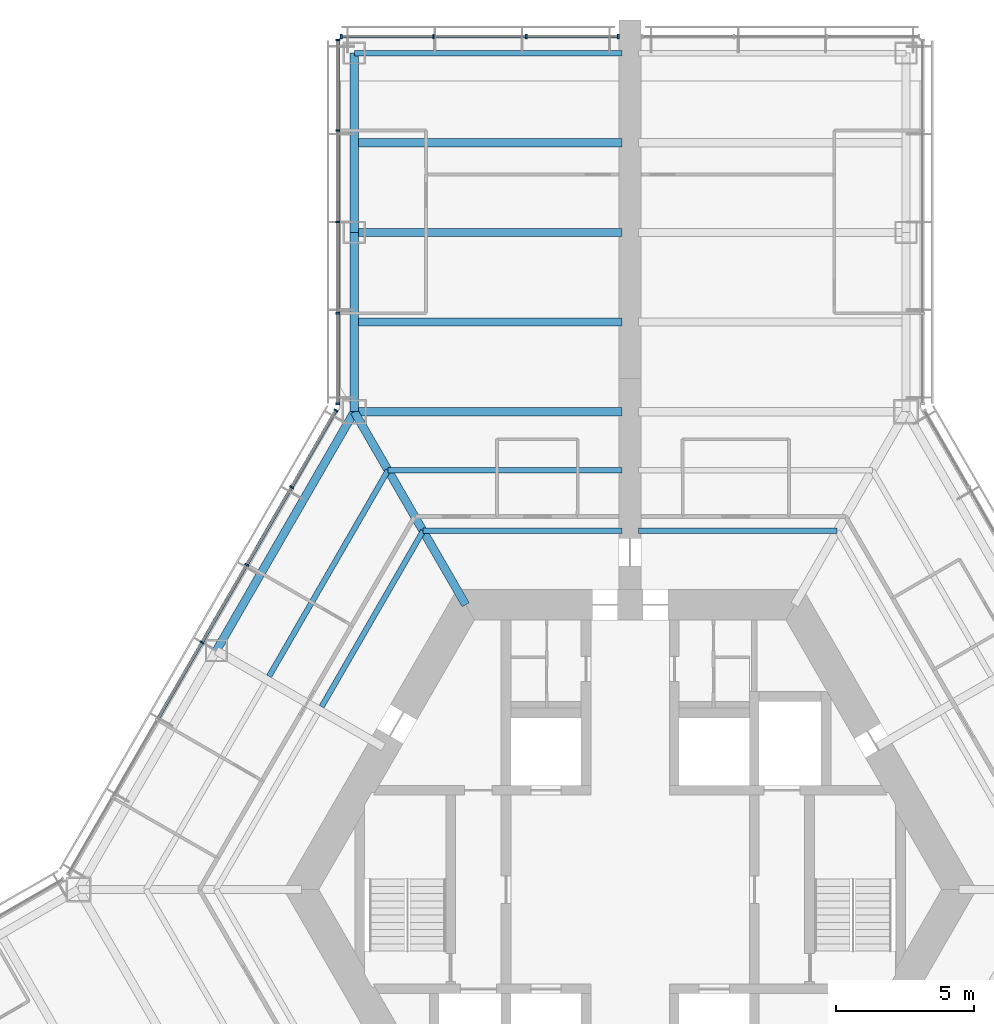
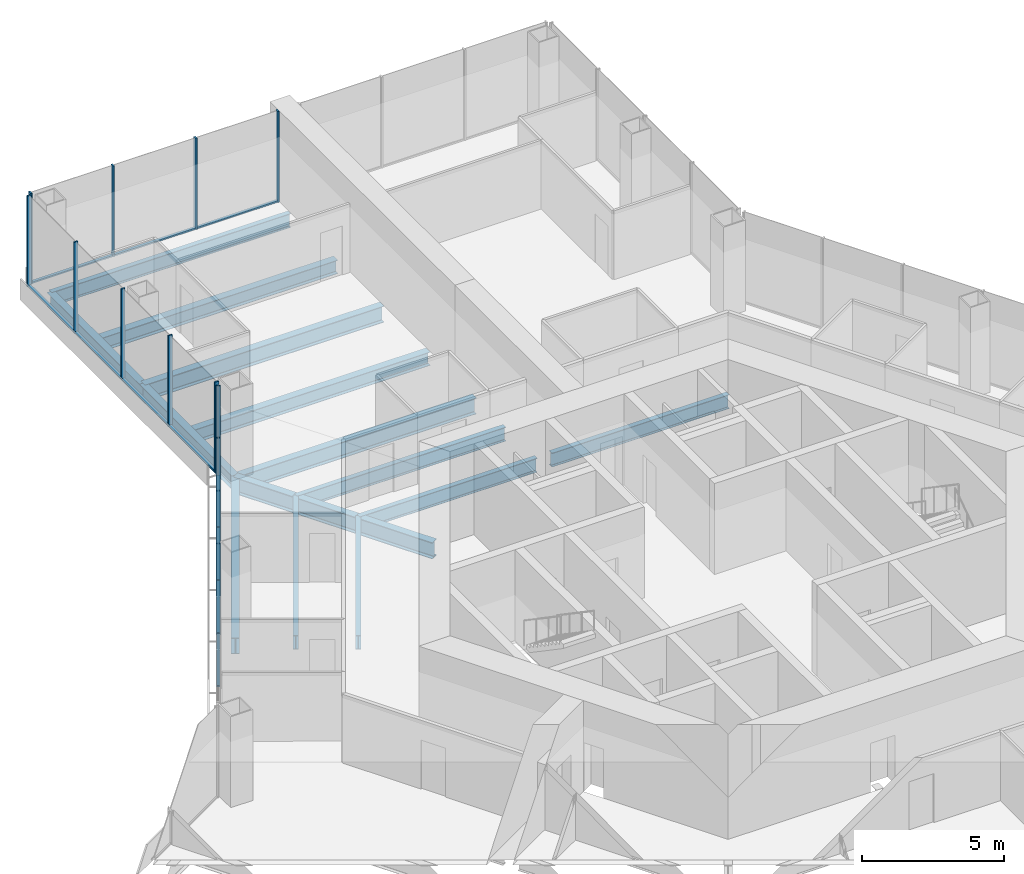
# One storey, part 7 of 18: 24 members, 14 beams, 3 elements without a shape of their own.
"""IFC4 building model written with IfcOpenShell, lengths in metres."""

from ifc_helpers import new_model, si_unit, direction, frame, origin, origin_2d, place, context, subcontext, project, spatial, rectangle, i_section, extrude, material, material_profile, profile_set, type_object, element, aggregate, save


model = new_model("IFC4")

# Units and contexts
model_context = context("Model", 3, precision=1e-05, world=origin(), true_north=direction((0.0, 1.0)))
body_context = subcontext(model_context, "Body", "Model", "MODEL_VIEW")
ifc_project = project(units=[si_unit("LENGTHUNIT", "METRE"), si_unit("AREAUNIT", "SQUARE_METRE"), si_unit("VOLUMEUNIT", "CUBIC_METRE"), si_unit("PLANEANGLEUNIT", "RADIAN"), si_unit("MASSUNIT", "GRAM", prefix="KILO")], contexts=[model_context])

# Site, building, storey
site_placement = place(None, origin())
site = spatial("IfcSite", under=ifc_project, at=site_placement, CompositionType="ELEMENT")
building_placement = place(site_placement, origin())
building = spatial("IfcBuilding", under=site, at=building_placement, Name="Kasaneha Research Tower", CompositionType="ELEMENT")
storey_placement = place(building_placement, frame((0.0, 0.0, 115.800048828125)))
storey = spatial("IfcBuildingStorey", under=building, at=storey_placement, Name="L29", CompositionType="ELEMENT", Elevation=115.800048828125)

# Beams
ifc_material_1 = material(Name="Steel SN490B", Category="steel")
ifc_material_profile_1 = material_profile(ifc_material_1, i_section(OverallWidth=0.199951171875, OverallDepth=0.60009765625, WebThickness=0.010986328125, FlangeThickness=0.01708984375, FilletRadius=0.012939453125, at=origin_2d()), Name="H-600x200x11x17")
ifc_profile_set_1 = profile_set([ifc_material_profile_1], Name="Steel SN490B")
beam_type_1 = type_object("IfcBeamType", Name="B1-3 secondary beam H-600x200x11x17", PredefinedType="JOIST", material=ifc_profile_set_1)
for number, where, z_axis, x_axis, name in (
    (1, (7.505615234375, 13.0, -0.449951171875), (-1.0, 0.0, 0.0), (0.0, -1.0, 0.0), "Secondary beam RS090L1 L29"),
    (2, (-7.505615234375, 13.0, -0.449951171875), (1.0, 0.0, 0.0), (0.0, 1.0, 0.0), "Secondary beam RS090R1 L29"),
):
    element("IfcBeam", number, at=place(storey_placement, frame(where, z_axis=z_axis, x_axis=x_axis)), inside=storey, type_object=beam_type_1, Name=name, PredefinedType="JOIST", context=body_context, shape_type="SweptSolid", body=[
        extrude(i_section(OverallWidth=0.199951171875, OverallDepth=0.60009765625, WebThickness=0.010986328125, FlangeThickness=0.01708984375, FilletRadius=0.012939453125, at=origin_2d()), origin(), (0.0, 0.0, 1.0), 7.20556640625),
    ])
beam_1_placement = place(storey_placement, frame((-8.775634765625, 15.199951171875, -0.449951171875), z_axis=(1.0, 0.0, 0.0), x_axis=(0.0, 1.0, 0.0)))
element("IfcBeam", 3, at=beam_1_placement, inside=storey, type_object=beam_type_1, Name="Secondary beam RS090R2 L29", PredefinedType="JOIST", context=body_context, shape_type="SweptSolid", body=[
    extrude(i_section(OverallWidth=0.199951171875, OverallDepth=0.60009765625, WebThickness=0.010986328125, FlangeThickness=0.01708984375, FilletRadius=0.012939453125, at=origin_2d()), origin(), (0.0, 0.0, 1.0), 8.4755859375),
])
beam_2_placement = place(storey_placement, frame((-7.505615234375, 13.0, -0.449951171875), z_axis=(-0.499994443168, -0.866028611999, 0.0), x_axis=(0.866028611999, -0.499994443168, 0.0)))
element("IfcBeam", 4, at=beam_2_placement, inside=storey, type_object=beam_type_1, Name="Secondary beam RS150L1 L29", PredefinedType="JOIST", context=body_context, shape_type="SweptSolid", body=[
    extrude(i_section(OverallWidth=0.199951171875, OverallDepth=0.60009765625, WebThickness=0.010986328125, FlangeThickness=0.01708984375, FilletRadius=0.012939453125, at=origin_2d()), origin(), (0.0, 0.0, 1.0), 7.35546875),
])
beam_3_placement = place(storey_placement, frame((-8.775634765625, 15.199951171875, -0.449951171875), z_axis=(-0.500017275495, -0.866015429543, 0.0), x_axis=(0.866015429543, -0.500017275495, 0.0)))
element("IfcBeam", 5, at=beam_3_placement, inside=storey, type_object=beam_type_1, Name="Secondary beam RS150L2 L29", PredefinedType="JOIST", context=body_context, shape_type="SweptSolid", body=[
    extrude(i_section(OverallWidth=0.199951171875, OverallDepth=0.60009765625, WebThickness=0.010986328125, FlangeThickness=0.01708984375, FilletRadius=0.012939453125, at=origin_2d()), origin(), (0.0, 0.0, 1.0), 8.625732421875),
])
ifc_material_2 = material(Name="Steel SN490B", Category="steel")
ifc_material_profile_2 = material_profile(ifc_material_2, i_section(OverallWidth=0.300048828125, OverallDepth=0.58203125, WebThickness=0.011962890625, FlangeThickness=0.01708984375, FilletRadius=0.012939453125, at=origin_2d()), Name="H-582x300x12x17")
ifc_profile_set_2 = profile_set([ifc_material_profile_2], Name="Steel SN490B")
beam_type_2 = type_object("IfcBeamType", Name="B2-3 secondary beam H-582x300x12x17", PredefinedType="JOIST", material=ifc_profile_set_2)
for number, where, z_axis, x_axis, name in (
    (6, (-10.0, 20.570556640625, -0.441162109375), (1.0, 0.0, 0.0), (0.0, 1.0, 0.0), "Secondary beam WBAN1 L29"),
    (7, (-10.0, 27.070556640625, -0.441162109375), (1.0, 0.0, 0.0), (0.0, 1.0, 0.0), "Secondary beam WBAN2 L29"),
):
    element("IfcBeam", number, at=place(storey_placement, frame(where, z_axis=z_axis, x_axis=x_axis)), inside=storey, type_object=beam_type_2, Name=name, PredefinedType="JOIST", context=body_context, shape_type="SweptSolid", body=[
        extrude(i_section(OverallWidth=0.300048828125, OverallDepth=0.58203125, WebThickness=0.011962890625, FlangeThickness=0.01708984375, FilletRadius=0.012939453125, at=origin_2d()), origin(), (0.0, 0.0, 1.0), 9.699951171875),
    ])

# Curtain wall, members
ifc_material_3 = material(Name="Glass and aluminium", Category="aluminium")
curtain_wall_type = type_object("IfcCurtainWallType", Name="Low-rise office curtain wall", PredefinedType="USERDEFINED", material=ifc_material_3)
curtain_wall_1_placement = place(storey_placement, origin())
curtain_wall_1 = element("IfcCurtainWall", 8, at=curtain_wall_1_placement, inside=storey, type_object=curtain_wall_type, Name="CW-O1 L29 run 10a", ObjectType="UNITISED CURTAIN WALL", PredefinedType="USERDEFINED")
ifc_material_4 = material(Name="Aluminium 6063-T6", Category="aluminium")
ifc_material_profile_3 = material_profile(ifc_material_4, rectangle(XDim=0.06005859375, YDim=0.159912109375, at=origin_2d()), Name="CW-O1 mullion 60x160")
ifc_profile_set_3 = profile_set([ifc_material_profile_3], Name="Aluminium 6063-T6")
member_type_1 = type_object("IfcMemberType", Name="CW-O1 mullion", PredefinedType="MULLION", material=ifc_profile_set_3)
member_1_placement = place(storey_placement, frame((-0.429931640625, 30.92041015625, 0.0), z_axis=(0.0, 0.0, 1.0), x_axis=(-1.0, 0.0, 0.0)))
member_1 = element("IfcMember", 9, at=member_1_placement, type_object=member_type_1, Name="CW-O1 mullion 1", PredefinedType="MULLION", context=body_context, shape_type="SweptSolid", body=[
    extrude(rectangle(XDim=0.06005859375, YDim=0.159912109375, at=origin_2d()), origin(), (0.0, 0.0, 1.0), 3.89990234375),
])
member_2_placement = place(storey_placement, frame((-3.7666015625, 30.92041015625, 0.0), z_axis=(0.0, 0.0, 1.0), x_axis=(-1.0, 0.0, 0.0)))
member_2 = element("IfcMember", 10, at=member_2_placement, type_object=member_type_1, Name="CW-O1 mullion 2", PredefinedType="MULLION", context=body_context, shape_type="SweptSolid", body=[
    extrude(rectangle(XDim=0.06005859375, YDim=0.159912109375, at=origin_2d()), origin(), (0.0, 0.0, 1.0), 3.89990234375),
])
member_3_placement = place(storey_placement, frame((-7.13330078125, 30.92041015625, 0.0), z_axis=(0.0, 0.0, 1.0), x_axis=(-1.0, 0.0, 0.0)))
member_3 = element("IfcMember", 11, at=member_3_placement, type_object=member_type_1, Name="CW-O1 mullion 3", PredefinedType="MULLION", context=body_context, shape_type="SweptSolid", body=[
    extrude(rectangle(XDim=0.06005859375, YDim=0.159912109375, at=origin_2d()), origin(), (0.0, 0.0, 1.0), 3.89990234375),
])
member_4_placement = place(storey_placement, frame((-10.469970703125, 30.92041015625, 0.0), z_axis=(0.0, 0.0, 1.0), x_axis=(-1.0, 0.0, 0.0)))
member_4 = element("IfcMember", 12, at=member_4_placement, type_object=member_type_1, Name="CW-O1 mullion 4", PredefinedType="MULLION", context=body_context, shape_type="SweptSolid", body=[
    extrude(rectangle(XDim=0.06005859375, YDim=0.159912109375, at=origin_2d()), origin(), (0.0, 0.0, 1.0), 3.89990234375),
])

curtain_wall_2_placement = place(storey_placement, origin())
curtain_wall_2 = element("IfcCurtainWall", 13, at=curtain_wall_2_placement, inside=storey, type_object=curtain_wall_type, Name="CW-O1 L29 run 11a", ObjectType="UNITISED CURTAIN WALL", PredefinedType="USERDEFINED")
member_5_placement = place(storey_placement, frame((-10.60009765625, 30.79052734375, 0.0), z_axis=(0.0, 0.0, 1.0), x_axis=(0.0, -1.0, 0.0)))
member_5 = element("IfcMember", 14, at=member_5_placement, type_object=member_type_1, Name="CW-O1 mullion 1", PredefinedType="MULLION", context=body_context, shape_type="SweptSolid", body=[
    extrude(rectangle(XDim=0.06005859375, YDim=0.159912109375, at=origin_2d()), origin(), (0.0, 0.0, 1.0), 3.89990234375),
])
member_6_placement = place(storey_placement, frame((-10.60009765625, 27.5107421875, 0.0), z_axis=(0.0, 0.0, 1.0), x_axis=(0.0, -1.0, 0.0)))
member_6 = element("IfcMember", 15, at=member_6_placement, type_object=member_type_1, Name="CW-O1 mullion 2", PredefinedType="MULLION", context=body_context, shape_type="SweptSolid", body=[
    extrude(rectangle(XDim=0.06005859375, YDim=0.159912109375, at=origin_2d()), origin(), (0.0, 0.0, 1.0), 3.89990234375),
])
member_7_placement = place(storey_placement, frame((-10.60009765625, 24.200927734375, 0.0), z_axis=(0.0, 0.0, 1.0), x_axis=(0.0, -1.0, 0.0)))
member_7 = element("IfcMember", 16, at=member_7_placement, type_object=member_type_1, Name="CW-O1 mullion 3", PredefinedType="MULLION", context=body_context, shape_type="SweptSolid", body=[
    extrude(rectangle(XDim=0.06005859375, YDim=0.159912109375, at=origin_2d()), origin(), (0.0, 0.0, 1.0), 3.89990234375),
])
member_8_placement = place(storey_placement, frame((-10.60009765625, 20.89111328125, 0.0), z_axis=(0.0, 0.0, 1.0), x_axis=(0.0, -1.0, 0.0)))
member_8 = element("IfcMember", 17, at=member_8_placement, type_object=member_type_1, Name="CW-O1 mullion 4", PredefinedType="MULLION", context=body_context, shape_type="SweptSolid", body=[
    extrude(rectangle(XDim=0.06005859375, YDim=0.159912109375, at=origin_2d()), origin(), (0.0, 0.0, 1.0), 3.89990234375),
])
member_9_placement = place(storey_placement, frame((-10.60009765625, 17.611328125, 0.0), z_axis=(0.0, 0.0, 1.0), x_axis=(0.0, -1.0, 0.0)))
member_9 = element("IfcMember", 18, at=member_9_placement, type_object=member_type_1, Name="CW-O1 mullion 5", PredefinedType="MULLION", context=body_context, shape_type="SweptSolid", body=[
    extrude(rectangle(XDim=0.06005859375, YDim=0.159912109375, at=origin_2d()), origin(), (0.0, 0.0, 1.0), 3.89990234375),
])

curtain_wall_3_placement = place(storey_placement, origin())
curtain_wall_3 = element("IfcCurtainWall", 19, at=curtain_wall_3_placement, inside=storey, type_object=curtain_wall_type, Name="CW-O1 L29 run 12a", ObjectType="UNITISED CURTAIN WALL", PredefinedType="USERDEFINED")
member_10_placement = place(storey_placement, frame((-10.6650390625, 17.36865234375, 0.0), z_axis=(0.0, 0.0, 1.0), x_axis=(-0.49999996188, -0.866025425793, 0.0)))
member_10 = element("IfcMember", 20, at=member_10_placement, type_object=member_type_1, Name="CW-O1 mullion 1", PredefinedType="MULLION", context=body_context, shape_type="SweptSolid", body=[
    extrude(rectangle(XDim=0.06005859375, YDim=0.159912109375, at=origin_2d()), origin(), (0.0, 0.0, 1.0), 3.89990234375),
])
member_11_placement = place(storey_placement, frame((-12.273193359375, 14.583251953125, 0.0), z_axis=(0.0, 0.0, 1.0), x_axis=(-0.49999996188, -0.866025425793, 0.0)))
member_11 = element("IfcMember", 21, at=member_11_placement, type_object=member_type_1, Name="CW-O1 mullion 2", PredefinedType="MULLION", context=body_context, shape_type="SweptSolid", body=[
    extrude(rectangle(XDim=0.06005859375, YDim=0.159912109375, at=origin_2d()), origin(), (0.0, 0.0, 1.0), 3.89990234375),
])
member_12_placement = place(storey_placement, frame((-13.896484375, 11.771728515625, 0.0), z_axis=(0.0, 0.0, 1.0), x_axis=(-0.49999996188, -0.866025425793, 0.0)))
member_12 = element("IfcMember", 22, at=member_12_placement, type_object=member_type_1, Name="CW-O1 mullion 3", PredefinedType="MULLION", context=body_context, shape_type="SweptSolid", body=[
    extrude(rectangle(XDim=0.06005859375, YDim=0.159912109375, at=origin_2d()), origin(), (0.0, 0.0, 1.0), 3.89990234375),
])
member_13_placement = place(storey_placement, frame((-15.51953125, 8.960205078125, 0.0), z_axis=(0.0, 0.0, 1.0), x_axis=(-0.49999996188, -0.866025425793, 0.0)))
member_13 = element("IfcMember", 23, at=member_13_placement, type_object=member_type_1, Name="CW-O1 mullion 4", PredefinedType="MULLION", context=body_context, shape_type="SweptSolid", body=[
    extrude(rectangle(XDim=0.06005859375, YDim=0.159912109375, at=origin_2d()), origin(), (0.0, 0.0, 1.0), 3.89990234375),
])

# Member
ifc_material_5 = material(Name="Aluminium 6063-T6", Category="aluminium")
ifc_material_profile_4 = material_profile(ifc_material_5, rectangle(XDim=0.1201171875, YDim=0.06005859375, at=origin_2d()), Name="CW-O1 transom 120x60")
ifc_profile_set_4 = profile_set([ifc_material_profile_4], Name="Aluminium 6063-T6")
member_type_2 = type_object("IfcMemberType", Name="CW-O1 transom", PredefinedType="USERDEFINED", material=ifc_profile_set_4)
member_14_placement = place(storey_placement, frame((-0.4599609375, 30.92041015625, 0.030029296875), z_axis=(-1.0, 0.0, 0.0), x_axis=(0.0, -1.0, 0.0)))
member_14 = element("IfcMember", 24, at=member_14_placement, type_object=member_type_2, Name="CW-O1 transom 1", ObjectType="TRANSOM", PredefinedType="USERDEFINED", context=body_context, shape_type="SweptSolid", body=[
    extrude(rectangle(XDim=0.1201171875, YDim=0.06005859375, at=origin_2d()), origin(), (0.0, 0.0, 1.0), 3.276611328125),
])

member_15_placement = place(storey_placement, frame((-3.796630859375, 30.92041015625, 0.030029296875), z_axis=(-1.0, 0.0, 0.0), x_axis=(0.0, -1.0, 0.0)))
member_15 = element("IfcMember", 25, at=member_15_placement, type_object=member_type_2, Name="CW-O1 transom 2", ObjectType="TRANSOM", PredefinedType="USERDEFINED", context=body_context, shape_type="SweptSolid", body=[
    extrude(rectangle(XDim=0.1201171875, YDim=0.06005859375, at=origin_2d()), origin(), (0.0, 0.0, 1.0), 3.306640625),
])

member_16_placement = place(storey_placement, frame((-7.163330078125, 30.92041015625, 0.030029296875), z_axis=(-1.0, 0.0, 0.0), x_axis=(0.0, -1.0, 0.0)))
member_16 = element("IfcMember", 26, at=member_16_placement, type_object=member_type_2, Name="CW-O1 transom 3", ObjectType="TRANSOM", PredefinedType="USERDEFINED", context=body_context, shape_type="SweptSolid", body=[
    extrude(rectangle(XDim=0.1201171875, YDim=0.06005859375, at=origin_2d()), origin(), (0.0, 0.0, 1.0), 3.276611328125),
])

aggregate(curtain_wall_1, [member_1, member_2, member_3, member_4, member_14, member_15, member_16])

member_17_placement = place(storey_placement, frame((-10.60009765625, 30.760498046875, 0.030029296875), z_axis=(0.0, -1.0, 0.0), x_axis=(1.0, 0.0, 0.0)))
member_17 = element("IfcMember", 27, at=member_17_placement, type_object=member_type_2, Name="CW-O1 transom 1", ObjectType="TRANSOM", PredefinedType="USERDEFINED", context=body_context, shape_type="SweptSolid", body=[
    extrude(rectangle(XDim=0.1201171875, YDim=0.06005859375, at=origin_2d()), origin(), (0.0, 0.0, 1.0), 3.2197265625),
])

member_18_placement = place(storey_placement, frame((-10.60009765625, 27.480712890625, 0.030029296875), z_axis=(0.0, -1.0, 0.0), x_axis=(1.0, 0.0, 0.0)))
member_18 = element("IfcMember", 28, at=member_18_placement, type_object=member_type_2, Name="CW-O1 transom 2", ObjectType="TRANSOM", PredefinedType="USERDEFINED", context=body_context, shape_type="SweptSolid", body=[
    extrude(rectangle(XDim=0.1201171875, YDim=0.06005859375, at=origin_2d()), origin(), (0.0, 0.0, 1.0), 3.249755859375),
])

member_19_placement = place(storey_placement, frame((-10.60009765625, 24.1708984375, 0.030029296875), z_axis=(0.0, -1.0, 0.0), x_axis=(1.0, 0.0, 0.0)))
member_19 = element("IfcMember", 29, at=member_19_placement, type_object=member_type_2, Name="CW-O1 transom 3", ObjectType="TRANSOM", PredefinedType="USERDEFINED", context=body_context, shape_type="SweptSolid", body=[
    extrude(rectangle(XDim=0.1201171875, YDim=0.06005859375, at=origin_2d()), origin(), (0.0, 0.0, 1.0), 3.249755859375),
])

member_20_placement = place(storey_placement, frame((-10.60009765625, 20.861083984375, 0.030029296875), z_axis=(0.0, -1.0, 0.0), x_axis=(1.0, 0.0, 0.0)))
member_20 = element("IfcMember", 30, at=member_20_placement, type_object=member_type_2, Name="CW-O1 transom 4", ObjectType="TRANSOM", PredefinedType="USERDEFINED", context=body_context, shape_type="SweptSolid", body=[
    extrude(rectangle(XDim=0.1201171875, YDim=0.06005859375, at=origin_2d()), origin(), (0.0, 0.0, 1.0), 3.2197265625),
])

aggregate(curtain_wall_2, [member_5, member_6, member_7, member_8, member_9, member_17, member_18, member_19, member_20])

member_21_placement = place(storey_placement, frame((-10.679931640625, 17.3427734375, 0.030029296875), z_axis=(-0.500023726918, -0.866011704609, 0.0), x_axis=(0.866011704609, -0.500023726918, 0.0)))
member_21 = element("IfcMember", 31, at=member_21_placement, type_object=member_type_2, Name="CW-O1 transom 1", ObjectType="TRANSOM", PredefinedType="USERDEFINED", context=body_context, shape_type="SweptSolid", body=[
    extrude(rectangle(XDim=0.1201171875, YDim=0.06005859375, at=origin_2d()), origin(), (0.0, 0.0, 1.0), 3.156494140625),
])

member_22_placement = place(storey_placement, frame((-12.2880859375, 14.55712890625, 0.030029296875), z_axis=(-0.500012062035, -0.866018439653, 0.0), x_axis=(0.866018439653, -0.500012062035, 0.0)))
member_22 = element("IfcMember", 32, at=member_22_placement, type_object=member_type_2, Name="CW-O1 transom 2", ObjectType="TRANSOM", PredefinedType="USERDEFINED", context=body_context, shape_type="SweptSolid", body=[
    extrude(rectangle(XDim=0.1201171875, YDim=0.06005859375, at=origin_2d()), origin(), (0.0, 0.0, 1.0), 3.1865234375),
])

member_23_placement = place(storey_placement, frame((-13.911376953125, 11.745849609375, 0.030029296875), z_axis=(-0.500012062035, -0.866018439653, 0.0), x_axis=(0.866018439653, -0.500012062035, 0.0)))
member_23 = element("IfcMember", 33, at=member_23_placement, type_object=member_type_2, Name="CW-O1 transom 3", ObjectType="TRANSOM", PredefinedType="USERDEFINED", context=body_context, shape_type="SweptSolid", body=[
    extrude(rectangle(XDim=0.1201171875, YDim=0.06005859375, at=origin_2d()), origin(), (0.0, 0.0, 1.0), 3.1865234375),
])

member_24_placement = place(storey_placement, frame((-15.53466796875, 8.934326171875, 0.030029296875), z_axis=(-0.500012062035, -0.866018439653, 0.0), x_axis=(0.866018439653, -0.500012062035, 0.0)))
member_24 = element("IfcMember", 34, at=member_24_placement, type_object=member_type_2, Name="CW-O1 transom 4", ObjectType="TRANSOM", PredefinedType="USERDEFINED", context=body_context, shape_type="SweptSolid", body=[
    extrude(rectangle(XDim=0.1201171875, YDim=0.06005859375, at=origin_2d()), origin(), (0.0, 0.0, 1.0), 3.1865234375),
])

aggregate(curtain_wall_3, [member_10, member_11, member_12, member_13, member_21, member_22, member_23, member_24])

# Beams
ifc_material_6 = material(Name="Steel SN490B", Category="steel")
ifc_material_profile_5 = material_profile(ifc_material_6, i_section(OverallWidth=0.300048828125, OverallDepth=0.699951171875, WebThickness=0.012939453125, FlangeThickness=0.02392578125, FilletRadius=0.01806640625, at=origin_2d()), Name="H-700x300x13x24")
ifc_profile_set_5 = profile_set([ifc_material_profile_5], Name="Steel SN490B")
beam_type_3 = type_object("IfcBeamType", Name="G1-3 radial girder H-700x300x13x24", PredefinedType="BEAM", material=ifc_profile_set_5)
beam_4_placement = place(storey_placement, frame((-5.961181640625, 10.324951171875, -0.5), z_axis=(-0.49999105496, 0.866030568144, 0.0), x_axis=(-0.866030568144, -0.49999105496, 0.0)))
element("IfcBeam", 35, at=beam_4_placement, inside=storey, type_object=beam_type_3, Name="Radial girder RV120 L29", PredefinedType="BEAM", context=body_context, shape_type="SweptSolid", body=[
    extrude(i_section(OverallWidth=0.300048828125, OverallDepth=0.699951171875, WebThickness=0.012939453125, FlangeThickness=0.02392578125, FilletRadius=0.01806640625, at=origin_2d()), origin(), (0.0, 0.0, 1.0), 8.077880859375),
])
ifc_material_7 = material(Name="Steel SN490B", Category="steel")
ifc_material_profile_6 = material_profile(ifc_material_7, i_section(OverallWidth=0.300048828125, OverallDepth=0.69189453125, WebThickness=0.012939453125, FlangeThickness=0.02001953125, FilletRadius=0.01806640625, at=origin_2d()), Name="H-692x300x13x20")
ifc_profile_set_6 = profile_set([ifc_material_profile_6], Name="Steel SN490B")
beam_type_4 = type_object("IfcBeamType", Name="G3-3 plate edge girder H-692x300x13x20", PredefinedType="BEAM", material=ifc_profile_set_6)
beam_5_placement = place(storey_placement, frame((-10.0, 17.320556640625, -0.49609375), z_axis=(1.0, 0.0, 0.0), x_axis=(0.0, 1.0, 0.0)))
element("IfcBeam", 36, at=beam_5_placement, inside=storey, type_object=beam_type_4, Name="Plate edge girder PEAN L29", PredefinedType="BEAM", context=body_context, shape_type="SweptSolid", body=[
    extrude(i_section(OverallWidth=0.300048828125, OverallDepth=0.69189453125, WebThickness=0.012939453125, FlangeThickness=0.02001953125, FilletRadius=0.01806640625, at=origin_2d()), origin(), (0.0, 0.0, 1.0), 9.699951171875),
])
ifc_material_8 = material(Name="Steel SN490B", Category="steel")
ifc_material_profile_7 = material_profile(ifc_material_8, i_section(OverallWidth=0.300048828125, OverallDepth=0.699951171875, WebThickness=0.012939453125, FlangeThickness=0.02392578125, FilletRadius=0.01806640625, at=origin_2d()), Name="H-700x300x13x24")
ifc_profile_set_7 = profile_set([ifc_material_profile_7], Name="Steel SN490B")
beam_type_5 = type_object("IfcBeamType", Name="G4-3 wing girder H-700x300x13x24", PredefinedType="BEAM", material=ifc_profile_set_7)
beam_6_placement = place(storey_placement, frame((-10.0, 23.820556640625, -0.5), z_axis=(1.0, 0.0, 0.0), x_axis=(0.0, 1.0, 0.0)))
element("IfcBeam", 37, at=beam_6_placement, inside=storey, type_object=beam_type_5, Name="Wing girder WGAN L29", PredefinedType="BEAM", context=body_context, shape_type="SweptSolid", body=[
    extrude(i_section(OverallWidth=0.300048828125, OverallDepth=0.699951171875, WebThickness=0.012939453125, FlangeThickness=0.02392578125, FilletRadius=0.01806640625, at=origin_2d()), origin(), (0.0, 0.0, 1.0), 9.699951171875),
])
ifc_material_9 = material(Name="Steel SN490B", Category="steel")
ifc_material_profile_8 = material_profile(ifc_material_9, i_section(OverallWidth=0.300048828125, OverallDepth=0.69189453125, WebThickness=0.012939453125, FlangeThickness=0.02001953125, FilletRadius=0.01806640625, at=origin_2d()), Name="H-692x300x13x20")
ifc_profile_set_8 = profile_set([ifc_material_profile_8], Name="Steel SN490B")
beam_type_6 = type_object("IfcBeamType", Name="SB1-3 spandrel beam H-692x300x13x20", PredefinedType="SPANDREL", material=ifc_profile_set_8)
beam_7_placement = place(storey_placement, frame((-10.0, 17.320556640625, -0.49609375), z_axis=(-0.499993662806, -0.866029062534, 0.0), x_axis=(0.866029062534, -0.499993662806, 0.0)))
element("IfcBeam", 38, at=beam_7_placement, inside=storey, type_object=beam_type_6, Name="Spandrel beam SR150L L29", PredefinedType="SPANDREL", context=body_context, shape_type="SweptSolid", body=[
    extrude(i_section(OverallWidth=0.300048828125, OverallDepth=0.69189453125, WebThickness=0.012939453125, FlangeThickness=0.02001953125, FilletRadius=0.01806640625, at=origin_2d()), origin(), (0.0, 0.0, 1.0), 10.000244140625),
])
ifc_material_10 = material(Name="Steel SN490B", Category="steel")
ifc_material_profile_9 = material_profile(ifc_material_10, i_section(OverallWidth=0.300048828125, OverallDepth=0.58203125, WebThickness=0.011962890625, FlangeThickness=0.01708984375, FilletRadius=0.012939453125, at=origin_2d()), Name="H-582x300x12x17")
ifc_profile_set_9 = profile_set([ifc_material_profile_9], Name="Steel SN490B")
beam_type_7 = type_object("IfcBeamType", Name="SB2-3 spandrel beam H-582x300x12x17", PredefinedType="SPANDREL", material=ifc_profile_set_9)
for number, where, z_axis, x_axis, name in (
    (39, (-10.0, 17.320556640625, -0.441162109375), (0.0, 1.0, 0.0), (-1.0, 0.0, 0.0), "Spandrel beam WSAN1 L29"),
    (40, (-10.0, 23.820556640625, -0.441162109375), (0.0, 1.0, 0.0), (-1.0, 0.0, 0.0), "Spandrel beam WSAN2 L29"),
):
    element("IfcBeam", number, at=place(storey_placement, frame(where, z_axis=z_axis, x_axis=x_axis)), inside=storey, type_object=beam_type_7, Name=name, PredefinedType="SPANDREL", context=body_context, shape_type="SweptSolid", body=[
        extrude(i_section(OverallWidth=0.300048828125, OverallDepth=0.58203125, WebThickness=0.011962890625, FlangeThickness=0.01708984375, FilletRadius=0.012939453125, at=origin_2d()), origin(), (0.0, 0.0, 1.0), 6.5),
    ])
ifc_material_11 = material(Name="Steel SN490B", Category="steel")
ifc_material_profile_10 = material_profile(ifc_material_11, i_section(OverallWidth=0.199951171875, OverallDepth=0.60009765625, WebThickness=0.010986328125, FlangeThickness=0.01708984375, FilletRadius=0.012939453125, at=origin_2d()), Name="H-600x200x11x17")
ifc_profile_set_10 = profile_set([ifc_material_profile_10], Name="Steel SN490B")
beam_type_8 = type_object("IfcBeamType", Name="SB3-3 spandrel beam H-600x200x11x17", PredefinedType="SPANDREL", material=ifc_profile_set_10)
beam_8_placement = place(storey_placement, frame((-10.0, 30.320556640625, -0.449951171875), z_axis=(1.0, 0.0, 0.0), x_axis=(0.0, 1.0, 0.0)))
element("IfcBeam", 41, at=beam_8_placement, inside=storey, type_object=beam_type_8, Name="Spandrel beam WTAN L29", PredefinedType="SPANDREL", context=body_context, shape_type="SweptSolid", body=[
    extrude(i_section(OverallWidth=0.199951171875, OverallDepth=0.60009765625, WebThickness=0.010986328125, FlangeThickness=0.01708984375, FilletRadius=0.012939453125, at=origin_2d()), origin(), (0.0, 0.0, 1.0), 9.699951171875),
])

save(model, "model.ifc")
